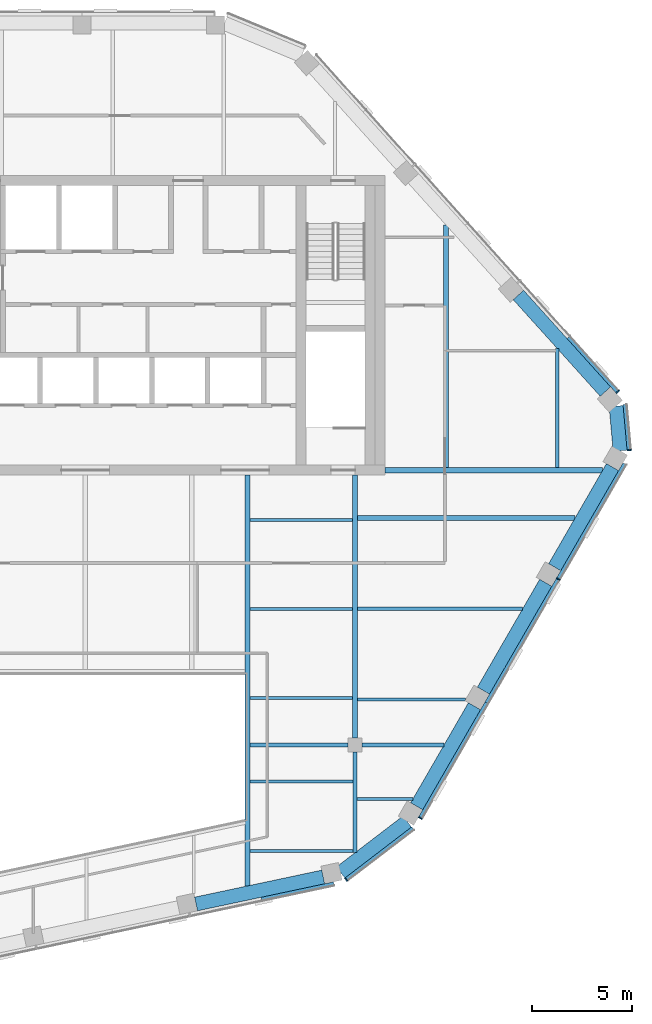
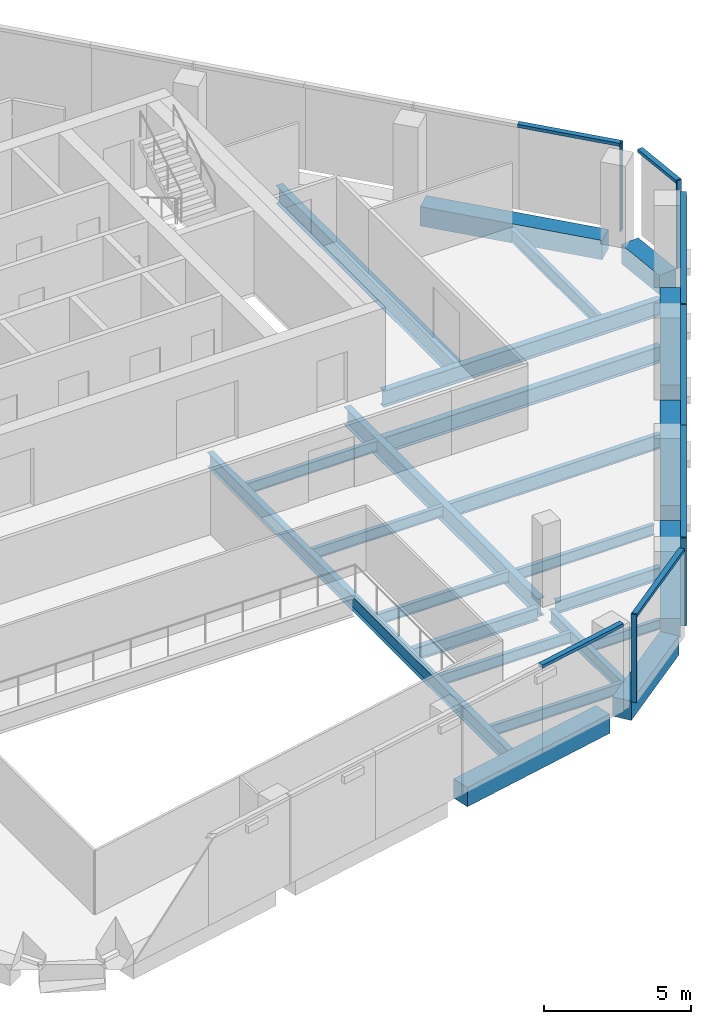
# One storey, part 4 of 13: 24 beams, 12 members, 5 elements without a shape of their own.
"""IFC4 building model written with IfcOpenShell, lengths in metres."""

from ifc_helpers import new_model, si_unit, direction, frame, origin, origin_2d, place, context, subcontext, project, spatial, rectangle, i_section, extrude, material, layer, layer_set, material_profile, profile_set, type_object, element, aggregate, save


model = new_model("IFC4")

# Units and contexts
model_context = context("Model", 3, precision=1e-05, world=origin(), true_north=direction((0.0, 1.0)))
body_context = subcontext(model_context, "Body", "Model", "MODEL_VIEW")
ifc_project = project(units=[si_unit("LENGTHUNIT", "METRE"), si_unit("AREAUNIT", "SQUARE_METRE"), si_unit("VOLUMEUNIT", "CUBIC_METRE"), si_unit("PLANEANGLEUNIT", "RADIAN"), si_unit("MASSUNIT", "GRAM", prefix="KILO")], contexts=[model_context])

# Site, building, storey
site_placement = place(None, origin())
site = spatial("IfcSite", under=ifc_project, at=site_placement, CompositionType="ELEMENT")
building_placement = place(site_placement, origin())
building = spatial("IfcBuilding", under=site, at=building_placement, Name="Isthmus Gate Tower", CompositionType="ELEMENT")
storey_placement = place(building_placement, frame((0.0, 0.0, 297.449951171875)))
storey = spatial("IfcBuildingStorey", under=building, at=storey_placement, Name="L76", CompositionType="ELEMENT", Elevation=297.449951171875)

# Curtain wall, member
ifc_material_1 = material(Name="Aluminium, pale champagne anodised", Category="aluminium")
ifc_layer = layer(ifc_material_1, 0.199951171875)
ifc_layer_set = layer_set([ifc_layer], Name="CW-1 UNITISED CURTAIN WALL 200 DEEP")
curtain_wall_type = type_object("IfcCurtainWallType", Name="CW-1 UNITISED CURTAIN WALL 200 DEEP", PredefinedType="NOTDEFINED", material=ifc_layer_set)
curtain_wall_1_placement = place(storey_placement, origin())
curtain_wall_1 = element("IfcCurtainWall", 1, at=curtain_wall_1_placement, inside=storey, type_object=curtain_wall_type, Name="CW-1 S-SE L76", PredefinedType="NOTDEFINED")
ifc_material_2 = material(Name="Aluminium, pale champagne anodised", Category="aluminium")
ifc_material_profile_1 = material_profile(ifc_material_2, rectangle(XDim=0.06005859375, YDim=0.199951171875, at=origin_2d()), Name="60x200")
ifc_profile_set_1 = profile_set([ifc_material_profile_1], Name="Aluminium, pale champagne anodised")
member_type_1 = type_object("IfcMemberType", Name="CW-1 MULLION 60 X 200", PredefinedType="MULLION", material=ifc_profile_set_1)
member_1_placement = place(storey_placement, frame((13.055908203125, -20.241455078125, 0.0), z_axis=(0.0, 0.0, 1.0), x_axis=(0.794188594387, 0.607671355706, 0.0)))
member_1 = element("IfcMember", 2, at=member_1_placement, type_object=member_type_1, Name="CW-1 mullion", PredefinedType="MULLION", context=body_context, shape_type="SweptSolid", body=[
    extrude(rectangle(XDim=0.06005859375, YDim=0.199951171875, at=origin_2d()), origin(), (0.0, 0.0, 1.0), 3.650146484375),
])

# Curtain wall, members
curtain_wall_2_placement = place(storey_placement, origin())
curtain_wall_2 = element("IfcCurtainWall", 3, at=curtain_wall_2_placement, inside=storey, type_object=curtain_wall_type, Name="CW-1 SE L76", PredefinedType="NOTDEFINED")
member_2_placement = place(storey_placement, frame((16.765380859375, -17.161376953125, 0.0), z_axis=(0.0, 0.0, 1.0), x_axis=(0.5, 0.866025403784, 0.0)))
member_2 = element("IfcMember", 4, at=member_2_placement, type_object=member_type_1, Name="CW-1 mullion", PredefinedType="MULLION", context=body_context, shape_type="SweptSolid", body=[
    extrude(rectangle(XDim=0.06005859375, YDim=0.199951171875, at=origin_2d()), origin(), (0.0, 0.0, 1.0), 3.650146484375),
])
member_3_placement = place(storey_placement, frame((23.675048828125, -5.193603515625, 0.0), z_axis=(0.0, 0.0, 1.0), x_axis=(0.5, 0.866025403784, 0.0)))
member_3 = element("IfcMember", 5, at=member_3_placement, type_object=member_type_1, Name="CW-1 mullion", PredefinedType="MULLION", context=body_context, shape_type="SweptSolid", body=[
    extrude(rectangle(XDim=0.06005859375, YDim=0.199951171875, at=origin_2d()), origin(), (0.0, 0.0, 1.0), 3.650146484375),
])

# Curtain wall, member
curtain_wall_3_placement = place(storey_placement, origin())
curtain_wall_3 = element("IfcCurtainWall", 6, at=curtain_wall_3_placement, inside=storey, type_object=curtain_wall_type, Name="CW-1 SE-NE L76", PredefinedType="NOTDEFINED")
member_4_placement = place(storey_placement, frame((27.21875, 1.258056640625, 0.0), z_axis=(0.0, 0.0, 1.0), x_axis=(-0.089396669717, 0.995996102123, 0.0)))
member_4 = element("IfcMember", 7, at=member_4_placement, type_object=member_type_1, Name="CW-1 mullion", PredefinedType="MULLION", context=body_context, shape_type="SweptSolid", body=[
    extrude(rectangle(XDim=0.06005859375, YDim=0.199951171875, at=origin_2d()), origin(), (0.0, 0.0, 1.0), 3.650146484375),
])

curtain_wall_4_placement = place(storey_placement, origin())
curtain_wall_4 = element("IfcCurtainWall", 8, at=curtain_wall_4_placement, inside=storey, type_object=curtain_wall_type, Name="CW-1 NE L76", PredefinedType="NOTDEFINED")
member_5_placement = place(storey_placement, frame((26.6474609375, 4.17626953125, 0.0), z_axis=(0.0, 0.0, 1.0), x_axis=(-0.669130606359, 0.743144825477, 0.0)))
member_5 = element("IfcMember", 9, at=member_5_placement, type_object=member_type_1, Name="CW-1 mullion", PredefinedType="MULLION", context=body_context, shape_type="SweptSolid", body=[
    extrude(rectangle(XDim=0.06005859375, YDim=0.199951171875, at=origin_2d()), origin(), (0.0, 0.0, 1.0), 3.650146484375),
])

curtain_wall_5_placement = place(storey_placement, origin())
curtain_wall_5 = element("IfcCurtainWall", 10, at=curtain_wall_5_placement, inside=storey, type_object=curtain_wall_type, Name="CW-1 S L76", PredefinedType="NOTDEFINED")
ifc_material_3 = material(Name="Aluminium, pale champagne anodised", Category="aluminium")
ifc_material_profile_2 = material_profile(ifc_material_3, rectangle(XDim=0.199951171875, YDim=0.1298828125, at=origin_2d()), Name="200x130")
ifc_profile_set_2 = profile_set([ifc_material_profile_2], Name="Aluminium, pale champagne anodised")
member_type_2 = type_object("IfcMemberType", Name="CW-1 TRANSOM 200 X 130", PredefinedType="USERDEFINED", material=ifc_profile_set_2)
member_6_placement = place(storey_placement, frame((8.816162109375, -21.228271484375, 3.5849609375), z_axis=(0.978146451283, 0.207917098487, 0.0), x_axis=(-0.207917098487, 0.978146451283, 0.0)))
member_6 = element("IfcMember", 11, at=member_6_placement, type_object=member_type_2, Name="CW-1 transom", ObjectType="TRANSOM", PredefinedType="USERDEFINED", context=body_context, shape_type="SweptSolid", body=[
    extrude(rectangle(XDim=0.199951171875, YDim=0.1298828125, at=origin_2d()), origin(), (0.0, 0.0, 1.0), 3.70361328125),
])
aggregate(curtain_wall_5, [member_6])

# Member
member_7_placement = place(storey_placement, frame((13.07958984375, -20.22314453125, 3.5849609375), z_axis=(0.794225234414, 0.607623466482, 0.0), x_axis=(-0.607623466482, 0.794225234414, 0.0)))
member_7 = element("IfcMember", 12, at=member_7_placement, type_object=member_type_2, Name="CW-1 transom", ObjectType="TRANSOM", PredefinedType="USERDEFINED", context=body_context, shape_type="SweptSolid", body=[
    extrude(rectangle(XDim=0.199951171875, YDim=0.1298828125, at=origin_2d()), origin(), (0.0, 0.0, 1.0), 4.181396484375),
])

aggregate(curtain_wall_1, [member_1, member_7])

member_8_placement = place(storey_placement, frame((16.780517578125, -17.135498046875, 3.5849609375), z_axis=(0.49999574405, 0.866027860944, 0.0), x_axis=(-0.866027860944, 0.49999574405, 0.0)))
member_8 = element("IfcMember", 13, at=member_8_placement, type_object=member_type_2, Name="CW-1 transom", ObjectType="TRANSOM", PredefinedType="USERDEFINED", context=body_context, shape_type="SweptSolid", body=[
    extrude(rectangle(XDim=0.199951171875, YDim=0.1298828125, at=origin_2d()), origin(), (0.0, 0.0, 1.0), 6.62451171875),
])

member_9_placement = place(storey_placement, frame((20.0927734375, -11.3984375, 3.5849609375), z_axis=(0.499985098601, 0.86603400694, 0.0), x_axis=(-0.86603400694, 0.499985098601, 0.0)))
member_9 = element("IfcMember", 14, at=member_9_placement, type_object=member_type_2, Name="CW-1 transom", ObjectType="TRANSOM", PredefinedType="USERDEFINED", context=body_context, shape_type="SweptSolid", body=[
    extrude(rectangle(XDim=0.199951171875, YDim=0.1298828125, at=origin_2d()), origin(), (0.0, 0.0, 1.0), 7.134521484375),
])

member_10_placement = place(storey_placement, frame((23.68994140625, -5.167724609375, 3.5849609375), z_axis=(0.49999574405, 0.866027860944, 0.0), x_axis=(-0.866027860944, 0.49999574405, 0.0)))
member_10 = element("IfcMember", 15, at=member_10_placement, type_object=member_type_2, Name="CW-1 transom", ObjectType="TRANSOM", PredefinedType="USERDEFINED", context=body_context, shape_type="SweptSolid", body=[
    extrude(rectangle(XDim=0.199951171875, YDim=0.1298828125, at=origin_2d()), origin(), (0.0, 0.0, 1.0), 6.62451171875),
])

aggregate(curtain_wall_2, [member_2, member_8, member_9, member_3, member_10])

member_11_placement = place(storey_placement, frame((27.216064453125, 1.287841796875, 3.5849609375), z_axis=(-0.089395362867, 0.995996219419, 0.0), x_axis=(-0.995996219419, -0.089395362867, 0.0)))
member_11 = element("IfcMember", 16, at=member_11_placement, type_object=member_type_2, Name="CW-1 transom", ObjectType="TRANSOM", PredefinedType="USERDEFINED", context=body_context, shape_type="SweptSolid", body=[
    extrude(rectangle(XDim=0.199951171875, YDim=0.1298828125, at=origin_2d()), origin(), (0.0, 0.0, 1.0), 2.258544921875),
])

aggregate(curtain_wall_3, [member_4, member_11])

member_12_placement = place(storey_placement, frame((26.62744140625, 4.198486328125, 3.5849609375), z_axis=(-0.669149818044, 0.743127526749, 0.0), x_axis=(-0.743127526749, -0.669149818044, 0.0)))
member_12 = element("IfcMember", 17, at=member_12_placement, type_object=member_type_2, Name="CW-1 transom", ObjectType="TRANSOM", PredefinedType="USERDEFINED", context=body_context, shape_type="SweptSolid", body=[
    extrude(rectangle(XDim=0.199951171875, YDim=0.1298828125, at=origin_2d()), origin(), (0.0, 0.0, 1.0), 3.643310546875),
])

aggregate(curtain_wall_4, [member_5, member_12])

# Beams
ifc_material_4 = material(Name="Concrete f'c 50 MPa", Category="concrete")
ifc_material_profile_3 = material_profile(ifc_material_4, rectangle(XDim=0.699951171875, YDim=0.800048828125, at=origin_2d()), Name="RC 700X800")
ifc_profile_set_3 = profile_set([ifc_material_profile_3], Name="Concrete f'c 50 MPa")
beam_type_1 = type_object("IfcBeamType", Name="RC SPANDREL 700 X 800", PredefinedType="SPANDREL", material=ifc_profile_set_3)
beam_1_placement = place(storey_placement, frame((21.67822265625, 9.022705078125, -0.39990234375), z_axis=(0.669122265754, -0.743152335307, 0.0), x_axis=(0.743152335307, 0.669122265754, 0.0)))
element("IfcBeam", 18, at=beam_1_placement, inside=storey, type_object=beam_type_1, Name="str-spandrel-L76-03", PredefinedType="SPANDREL", context=body_context, shape_type="SweptSolid", body=[
    extrude(rectangle(XDim=0.699951171875, YDim=0.800048828125, at=origin_2d()), origin(), (0.0, 0.0, 1.0), 6.506591796875),
])
beam_2_placement = place(storey_placement, frame((26.5693359375, 3.459716796875, -0.39990234375), z_axis=(0.089359478208, -0.995999439585, 0.0), x_axis=(0.995999439585, 0.089359478208, 0.0)))
element("IfcBeam", 19, at=beam_2_placement, inside=storey, type_object=beam_type_1, Name="str-spandrel-L76-04", PredefinedType="SPANDREL", context=body_context, shape_type="SweptSolid", body=[
    extrude(rectangle(XDim=0.699951171875, YDim=0.800048828125, at=origin_2d()), origin(), (0.0, 0.0, 1.0), 2.245849609375),
])
beam_3_placement = place(storey_placement, frame((26.387451171875, 0.404541015625, -0.39990234375), z_axis=(-0.499979418648, -0.866037286108, 0.0), x_axis=(0.866037286108, -0.499979418648, 0.0)))
element("IfcBeam", 20, at=beam_3_placement, inside=storey, type_object=beam_type_1, Name="str-spandrel-L76-05", PredefinedType="SPANDREL", context=body_context, shape_type="SweptSolid", body=[
    extrude(rectangle(XDim=0.699951171875, YDim=0.800048828125, at=origin_2d()), origin(), (0.0, 0.0, 1.0), 5.784423828125),
])
beam_4_placement = place(storey_placement, frame((23.045166015625, -5.384521484375, -0.39990234375), z_axis=(-0.499997027648, -0.866027119866, 0.0), x_axis=(0.866027119866, -0.499997027648, 0.0)))
element("IfcBeam", 21, at=beam_4_placement, inside=storey, type_object=beam_type_1, Name="str-spandrel-L76-06", PredefinedType="SPANDREL", context=body_context, shape_type="SweptSolid", body=[
    extrude(rectangle(XDim=0.699951171875, YDim=0.800048828125, at=origin_2d()), origin(), (0.0, 0.0, 1.0), 6.234375),
])
beam_5_placement = place(storey_placement, frame((19.47802734375, -11.56298828125, -0.39990234375), z_axis=(-0.499992798144, -0.866029561738, 0.0), x_axis=(0.866029561738, -0.499992798144, 0.0)))
element("IfcBeam", 22, at=beam_5_placement, inside=storey, type_object=beam_type_1, Name="str-spandrel-L76-07", PredefinedType="SPANDREL", context=body_context, shape_type="SweptSolid", body=[
    extrude(rectangle(XDim=0.699951171875, YDim=0.800048828125, at=origin_2d()), origin(), (0.0, 0.0, 1.0), 5.78466796875),
])
beam_6_placement = place(storey_placement, frame((16.110595703125, -17.337646484375, -0.39990234375), z_axis=(-0.794204252251, -0.607650891307, 0.0), x_axis=(0.607650891307, -0.794204252251, 0.0)))
element("IfcBeam", 23, at=beam_6_placement, inside=storey, type_object=beam_type_1, Name="str-spandrel-L76-08", PredefinedType="SPANDREL", context=body_context, shape_type="SweptSolid", body=[
    extrude(rectangle(XDim=0.699951171875, YDim=0.800048828125, at=origin_2d()), origin(), (0.0, 0.0, 1.0), 4.197021484375),
])
beam_7_placement = place(storey_placement, frame((11.90478515625, -20.11181640625, -0.39990234375), z_axis=(-0.978148646173, -0.207906772352, 0.0), x_axis=(0.207906772352, -0.978148646173, 0.0)))
element("IfcBeam", 24, at=beam_7_placement, inside=storey, type_object=beam_type_1, Name="str-spandrel-L76-09", PredefinedType="SPANDREL", context=body_context, shape_type="SweptSolid", body=[
    extrude(rectangle(XDim=0.699951171875, YDim=0.800048828125, at=origin_2d()), origin(), (0.0, 0.0, 1.0), 6.506591796875),
])
ifc_material_5 = material(Name="Structural steel ASTM A992 Gr 50", Category="steel")
ifc_material_profile_4 = material_profile(ifc_material_5, i_section(OverallWidth=0.1396484375, OverallDepth=0.4033203125, WebThickness=0.00634765625, FlangeThickness=0.010986328125, at=origin_2d()), Name="W16X31")
ifc_profile_set_4 = profile_set([ifc_material_profile_4], Name="Structural steel ASTM A992 Gr 50")
beam_type_2 = type_object("IfcBeamType", Name="STEEL FLOOR BEAM W16X31", PredefinedType="JOIST", material=ifc_profile_set_4)
beam_8_placement = place(storey_placement, frame((13.604736328125, -16.20947265625, -0.3515625), z_axis=(1.0, 0.0, 0.0), x_axis=(0.0, 1.0, 0.0)))
element("IfcBeam", 25, at=beam_8_placement, inside=storey, type_object=beam_type_2, Name="str-beam-L76-11-00", PredefinedType="JOIST", context=body_context, shape_type="SweptSolid", body=[
    extrude(i_section(OverallWidth=0.1396484375, OverallDepth=0.4033203125, WebThickness=0.00634765625, FlangeThickness=0.010986328125, at=origin_2d()), origin(), (0.0, 0.0, 1.0), 2.78662109375),
])
ifc_material_6 = material(Name="Structural steel ASTM A992 Gr 50", Category="steel")
ifc_material_profile_5 = material_profile(ifc_material_6, i_section(OverallWidth=0.15234375, OverallDepth=0.45068359375, WebThickness=0.0078125, FlangeThickness=0.010986328125, at=origin_2d()), Name="W18X35")
ifc_profile_set_5 = profile_set([ifc_material_profile_5], Name="Structural steel ASTM A992 Gr 50")
beam_type_3 = type_object("IfcBeamType", Name="STEEL FLOOR BEAM W18X35", PredefinedType="JOIST", material=ifc_profile_set_5)
for number, where, z_axis, x_axis, name in (
    (26, (8.228515625, -18.802734375, -0.375244140625), (1.0, 0.0, 0.0), (0.0, 1.0, 0.0), "str-beam-L76-09-00"),
    (27, (8.228515625, -15.33740234375, -0.375244140625), (1.0, 0.0, 0.0), (0.0, 1.0, 0.0), "str-beam-L76-09-01"),
):
    element("IfcBeam", number, at=place(storey_placement, frame(where, z_axis=z_axis, x_axis=x_axis)), inside=storey, type_object=beam_type_3, Name=name, PredefinedType="JOIST", context=body_context, shape_type="SweptSolid", body=[
        extrude(i_section(OverallWidth=0.15234375, OverallDepth=0.45068359375, WebThickness=0.0078125, FlangeThickness=0.010986328125, at=origin_2d()), origin(), (0.0, 0.0, 1.0), 5.166748046875),
    ])
for number, where, z_axis, x_axis, name in (
    (28, (8.228515625, -11.16259765625, -0.375244140625), (1.0, 0.0, 0.0), (0.0, 1.0, 0.0), "str-beam-L76-10-00"),
    (29, (8.228515625, -6.697509765625, -0.375244140625), (1.0, 0.0, 0.0), (0.0, 1.0, 0.0), "str-beam-L76-10-01"),
    (30, (8.228515625, -2.232421875, -0.375244140625), (1.0, 0.0, 0.0), (0.0, 1.0, 0.0), "str-beam-L76-10-02"),
):
    element("IfcBeam", number, at=place(storey_placement, frame(where, z_axis=z_axis, x_axis=x_axis)), inside=storey, type_object=beam_type_3, Name=name, PredefinedType="JOIST", context=body_context, shape_type="SweptSolid", body=[
        extrude(i_section(OverallWidth=0.15234375, OverallDepth=0.45068359375, WebThickness=0.0078125, FlangeThickness=0.010986328125, at=origin_2d()), origin(), (0.0, 0.0, 1.0), 5.1396484375),
    ])
beam_9_placement = place(storey_placement, frame((13.6318359375, -11.2294921875, -0.375244140625), z_axis=(1.0, 0.0, 0.0), x_axis=(0.0, 1.0, 0.0)))
element("IfcBeam", 31, at=beam_9_placement, inside=storey, type_object=beam_type_3, Name="str-beam-L76-12-00", PredefinedType="JOIST", context=body_context, shape_type="SweptSolid", body=[
    extrude(i_section(OverallWidth=0.15234375, OverallDepth=0.45068359375, WebThickness=0.0078125, FlangeThickness=0.010986328125, at=origin_2d()), origin(), (0.0, 0.0, 1.0), 5.40380859375),
])
ifc_material_7 = material(Name="Structural steel ASTM A992 Gr 50", Category="steel")
ifc_material_profile_6 = material_profile(ifc_material_7, i_section(OverallWidth=0.1650390625, OverallDepth=0.52392578125, WebThickness=0.009521484375, FlangeThickness=0.010986328125, at=origin_2d()), Name="W21X44")
ifc_profile_set_6 = profile_set([ifc_material_profile_6], Name="Structural steel ASTM A992 Gr 50")
beam_type_4 = type_object("IfcBeamType", Name="STEEL FLOOR BEAM W21X44", PredefinedType="JOIST", material=ifc_profile_set_6)
beam_10_placement = place(storey_placement, frame((23.61865234375, 0.376953125, -0.411865234375), z_axis=(0.0, 1.0, 0.0), x_axis=(-1.0, 0.0, 0.0)))
element("IfcBeam", 32, at=beam_10_placement, inside=storey, type_object=beam_type_4, Name="str-beam-L76-07-07", PredefinedType="JOIST", context=body_context, shape_type="SweptSolid", body=[
    extrude(i_section(OverallWidth=0.1650390625, OverallDepth=0.52392578125, WebThickness=0.009521484375, FlangeThickness=0.010986328125, at=origin_2d()), origin(), (0.0, 0.0, 1.0), 5.967529296875),
])
ifc_material_8 = material(Name="Structural steel ASTM A992 Gr 50", Category="steel")
ifc_material_profile_7 = material_profile(ifc_material_8, i_section(OverallWidth=0.177734375, OverallDepth=0.60009765625, WebThickness=0.009521484375, FlangeThickness=0.0126953125, at=origin_2d()), Name="W24X55")
ifc_profile_set_7 = profile_set([ifc_material_profile_7], Name="Structural steel ASTM A992 Gr 50")
beam_type_5 = type_object("IfcBeamType", Name="STEEL FLOOR BEAM W24X55", PredefinedType="JOIST", material=ifc_profile_set_7)
beam_11_placement = place(storey_placement, frame((13.6318359375, -6.6884765625, -0.449951171875), z_axis=(1.0, 0.0, 0.0), x_axis=(0.0, 1.0, 0.0)))
element("IfcBeam", 33, at=beam_11_placement, inside=storey, type_object=beam_type_5, Name="str-beam-L76-12-01", PredefinedType="JOIST", context=body_context, shape_type="SweptSolid", body=[
    extrude(i_section(OverallWidth=0.177734375, OverallDepth=0.60009765625, WebThickness=0.009521484375, FlangeThickness=0.0126953125, at=origin_2d()), origin(), (0.0, 0.0, 1.0), 8.25634765625),
])
ifc_material_9 = material(Name="Structural steel ASTM A992 Gr 50", Category="steel")
ifc_material_profile_8 = material_profile(ifc_material_9, i_section(OverallWidth=0.25390625, OverallDepth=0.679443359375, WebThickness=0.010986328125, FlangeThickness=0.015869140625, at=origin_2d()), Name="W27X84")
ifc_profile_set_8 = profile_set([ifc_material_profile_8], Name="Structural steel ASTM A992 Gr 50")
beam_type_6 = type_object("IfcBeamType", Name="STEEL FLOOR BEAM W27X84", PredefinedType="JOIST", material=ifc_profile_set_8)
beam_12_placement = place(storey_placement, frame((13.6318359375, -2.1474609375, -0.48974609375), z_axis=(1.0, 0.0, 0.0), x_axis=(0.0, 1.0, 0.0)))
element("IfcBeam", 34, at=beam_12_placement, inside=storey, type_object=beam_type_6, Name="str-beam-L76-12-02", PredefinedType="JOIST", context=body_context, shape_type="SweptSolid", body=[
    extrude(i_section(OverallWidth=0.25390625, OverallDepth=0.679443359375, WebThickness=0.010986328125, FlangeThickness=0.015869140625, at=origin_2d()), origin(), (0.0, 0.0, 1.0), 10.878173828125),
])
ifc_material_10 = material(Name="Structural steel ASTM A992 Gr 50", Category="steel")
ifc_material_profile_9 = material_profile(ifc_material_10, i_section(OverallWidth=0.263427734375, OverallDepth=0.749267578125, WebThickness=0.0126953125, FlangeThickness=0.015869140625, at=origin_2d()), Name="W30X90")
ifc_profile_set_9 = profile_set([ifc_material_profile_9], Name="Structural steel ASTM A992 Gr 50")
beam_type_7 = type_object("IfcBeamType", Name="STEEL FLOOR BEAM W30X90", PredefinedType="JOIST", material=ifc_profile_set_9)
beam_13_placement = place(storey_placement, frame((18.05712890625, 0.376953125, -0.524658203125), z_axis=(0.0, 1.0, 0.0), x_axis=(-1.0, 0.0, 0.0)))
element("IfcBeam", 35, at=beam_13_placement, inside=storey, type_object=beam_type_7, Name="str-beam-L76-07-06", PredefinedType="JOIST", context=body_context, shape_type="SweptSolid", body=[
    extrude(i_section(OverallWidth=0.263427734375, OverallDepth=0.749267578125, WebThickness=0.0126953125, FlangeThickness=0.015869140625, at=origin_2d()), origin(), (0.0, 0.0, 1.0), 12.144287109375),
])
ifc_material_11 = material(Name="Structural steel ASTM A992 Gr 50", Category="steel")
ifc_material_profile_10 = material_profile(ifc_material_11, i_section(OverallWidth=0.20947265625, OverallDepth=0.533447265625, WebThickness=0.009521484375, FlangeThickness=0.015869140625, at=origin_2d()), Name="W21X62")
ifc_profile_set_10 = profile_set([ifc_material_profile_10], Name="Structural steel ASTM A992 Gr 50")
beam_type_8 = type_object("IfcBeamType", Name="STEEL GIRDER W21X62", PredefinedType="BEAM", material=ifc_profile_set_10)
beam_14_placement = place(storey_placement, frame((8.228515625, -13.5, -0.416748046875), z_axis=(1.0, 0.0, 0.0), x_axis=(0.0, 1.0, 0.0)))
element("IfcBeam", 36, at=beam_14_placement, inside=storey, type_object=beam_type_8, Name="str-girder-L76-03", PredefinedType="BEAM", context=body_context, shape_type="SweptSolid", body=[
    extrude(i_section(OverallWidth=0.20947265625, OverallDepth=0.533447265625, WebThickness=0.009521484375, FlangeThickness=0.015869140625, at=origin_2d()), origin(), (0.0, 0.0, 1.0), 4.92138671875),
])
beam_15_placement = place(storey_placement, frame((13.85009765625, -13.5, -0.416748046875), z_axis=(1.0, 0.0, 0.0), x_axis=(0.0, 1.0, 0.0)))
element("IfcBeam", 37, at=beam_15_placement, inside=storey, type_object=beam_type_8, Name="str-girder-L76-04", PredefinedType="BEAM", context=body_context, shape_type="SweptSolid", body=[
    extrude(i_section(OverallWidth=0.20947265625, OverallDepth=0.533447265625, WebThickness=0.009521484375, FlangeThickness=0.015869140625, at=origin_2d()), origin(), (0.0, 0.0, 1.0), 4.10546875),
])
beam_16_placement = place(storey_placement, frame((13.5, -18.894287109375, -0.416748046875), z_axis=(0.0, 1.0, 0.0), x_axis=(-1.0, 0.0, 0.0)))
element("IfcBeam", 38, at=beam_16_placement, inside=storey, type_object=beam_type_8, Name="str-girder-L76-07", PredefinedType="BEAM", context=body_context, shape_type="SweptSolid", body=[
    extrude(i_section(OverallWidth=0.20947265625, OverallDepth=0.533447265625, WebThickness=0.009521484375, FlangeThickness=0.015869140625, at=origin_2d()), origin(), (0.0, 0.0, 1.0), 5.044189453125),
])
ifc_material_12 = material(Name="Structural steel ASTM A992 Gr 50", Category="steel")
ifc_material_profile_11 = material_profile(ifc_material_12, i_section(OverallWidth=0.25390625, OverallDepth=0.679443359375, WebThickness=0.010986328125, FlangeThickness=0.015869140625, at=origin_2d()), Name="W27X84")
ifc_profile_set_11 = profile_set([ifc_material_profile_11], Name="Structural steel ASTM A992 Gr 50")
beam_type_9 = type_object("IfcBeamType", Name="STEEL GIRDER W27X84", PredefinedType="BEAM", material=ifc_profile_set_11)
beam_17_placement = place(storey_placement, frame((15.0, 0.25, -0.48974609375), z_axis=(1.0, 0.0, 0.0), x_axis=(0.0, 1.0, 0.0)))
element("IfcBeam", 39, at=beam_17_placement, inside=storey, type_object=beam_type_9, Name="str-girder-L76-10", PredefinedType="BEAM", context=body_context, shape_type="SweptSolid", body=[
    extrude(i_section(OverallWidth=0.25390625, OverallDepth=0.679443359375, WebThickness=0.010986328125, FlangeThickness=0.015869140625, at=origin_2d()), origin(), (0.0, 0.0, 1.0), 10.89404296875),
])
ifc_material_13 = material(Name="Structural steel ASTM A992 Gr 50", Category="steel")
ifc_material_profile_12 = material_profile(ifc_material_13, i_section(OverallWidth=0.263427734375, OverallDepth=0.749267578125, WebThickness=0.0126953125, FlangeThickness=0.015869140625, at=origin_2d()), Name="W30X90")
ifc_profile_set_12 = profile_set([ifc_material_profile_12], Name="Structural steel ASTM A992 Gr 50")
beam_type_10 = type_object("IfcBeamType", Name="STEEL GIRDER W30X90", PredefinedType="BEAM", material=ifc_profile_set_12)
beam_18_placement = place(storey_placement, frame((13.5, -13.14990234375, -0.524658203125), z_axis=(0.0, 1.0, 0.0), x_axis=(-1.0, 0.0, 0.0)))
element("IfcBeam", 40, at=beam_18_placement, inside=storey, type_object=beam_type_10, Name="str-girder-L76-08", PredefinedType="BEAM", context=body_context, shape_type="SweptSolid", body=[
    extrude(i_section(OverallWidth=0.263427734375, OverallDepth=0.749267578125, WebThickness=0.0126953125, FlangeThickness=0.015869140625, at=origin_2d()), origin(), (0.0, 0.0, 1.0), 13.14990234375),
])
ifc_material_14 = material(Name="Structural steel ASTM A992 Gr 50", Category="steel")
ifc_material_profile_13 = material_profile(ifc_material_14, i_section(OverallWidth=0.228515625, OverallDepth=0.603271484375, WebThickness=0.010986328125, FlangeThickness=0.014404296875, at=origin_2d()), Name="W24X68")
ifc_profile_set_13 = profile_set([ifc_material_profile_13], Name="Structural steel ASTM A992 Gr 50")
beam_type_11 = type_object("IfcBeamType", Name="STEEL TRIMMER W24X68", PredefinedType="BEAM", material=ifc_profile_set_13)
beam_19_placement = place(storey_placement, frame((8.1142578125, -20.5595703125, -0.45166015625), z_axis=(0.0, 1.0, 0.0), x_axis=(-1.0, 0.0, 0.0)))
element("IfcBeam", 41, at=beam_19_placement, inside=storey, type_object=beam_type_11, Name="str-trimmer-L76-01", PredefinedType="BEAM", context=body_context, shape_type="SweptSolid", body=[
    extrude(i_section(OverallWidth=0.228515625, OverallDepth=0.603271484375, WebThickness=0.010986328125, FlangeThickness=0.014404296875, at=origin_2d()), origin(), (0.0, 0.0, 1.0), 20.5595703125),
])

save(model, "model.ifc")
